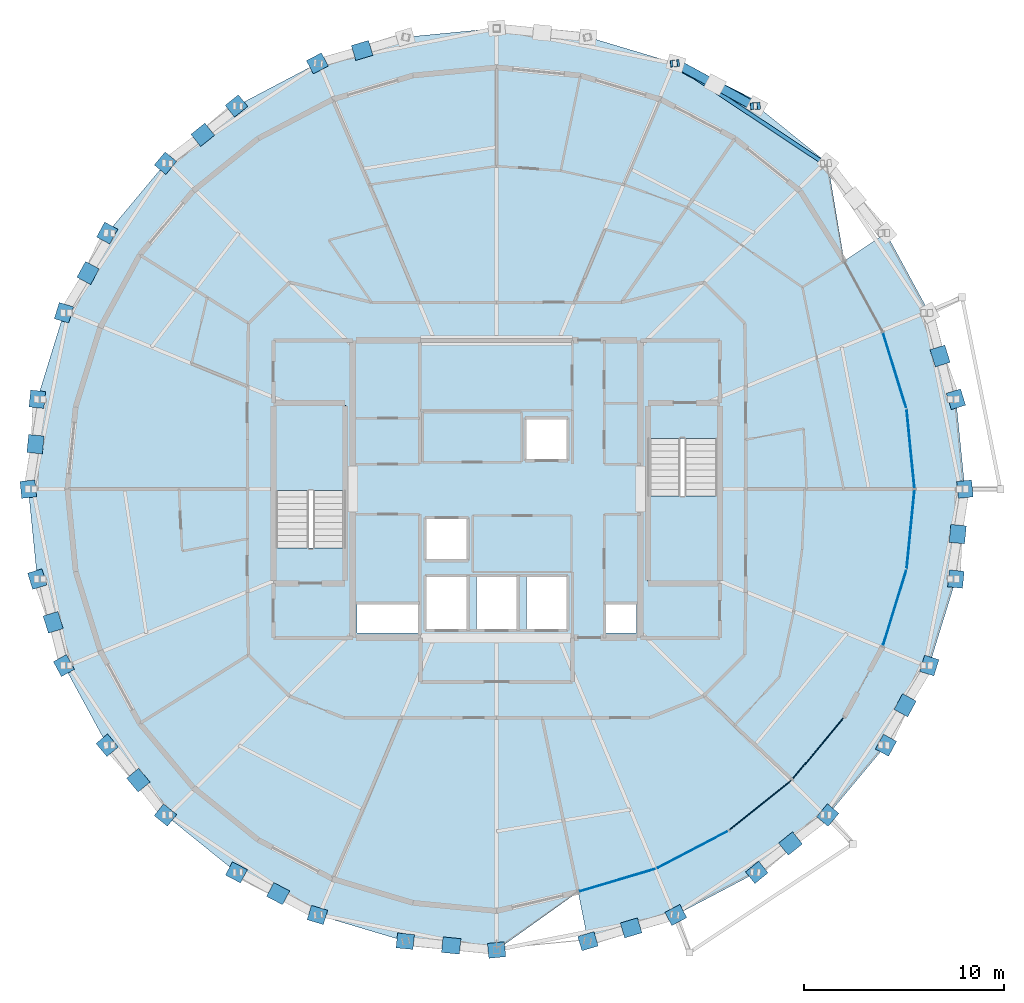
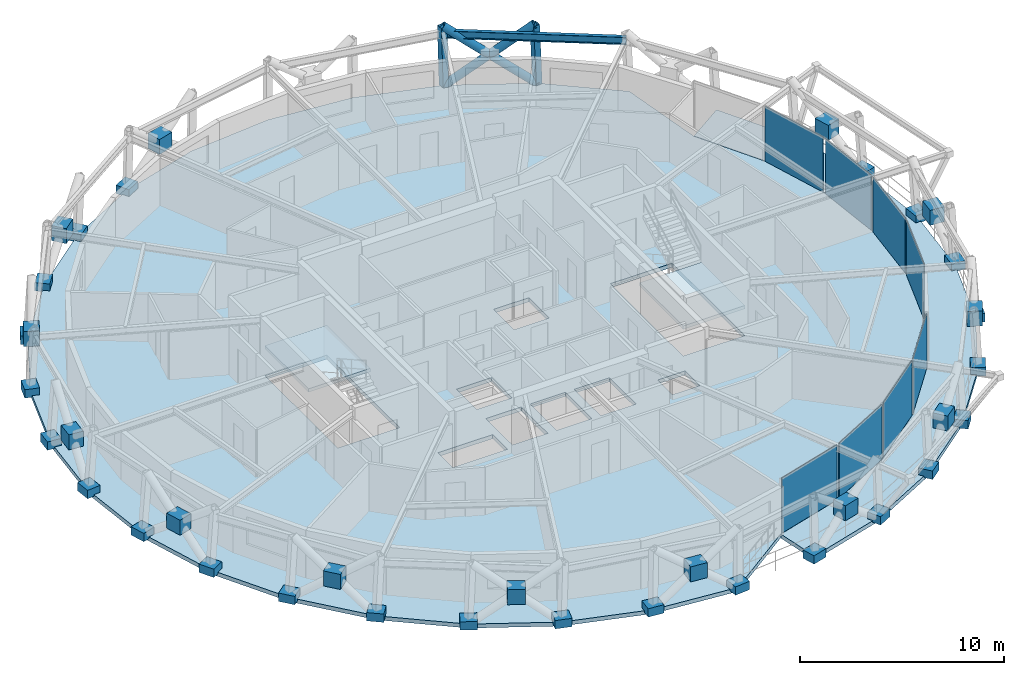
# One storey, part 12 of 18: 45 plates, 5 members, 4 slabs, 1 beam, 4 elements without a shape of their own.
"""IFC4 building model written with IfcOpenShell, lengths in metres."""

from ifc_helpers import new_model, si_unit, direction, frame, origin, origin_2d, place, context, subcontext, project, spatial, polyline, rectangle, hollow_rectangle, hollow_circle, i_section, outline, extrude, material, layer, layer_set, material_profile, profile_set, type_object, element, aggregate, save


model = new_model("IFC4")

# Units and contexts
model_context = context("Model", 3, precision=1e-05, world=origin(), true_north=direction((0.0, 1.0)))
body_context = subcontext(model_context, "Body", "Model", "MODEL_VIEW")
ifc_project = project(units=[si_unit("LENGTHUNIT", "METRE"), si_unit("AREAUNIT", "SQUARE_METRE"), si_unit("VOLUMEUNIT", "CUBIC_METRE"), si_unit("PLANEANGLEUNIT", "RADIAN"), si_unit("MASSUNIT", "GRAM", prefix="KILO")], contexts=[model_context])

# Site, building, storey
site_placement = place(None, origin())
site = spatial("IfcSite", under=ifc_project, at=site_placement, CompositionType="ELEMENT")
building_placement = place(site_placement, origin())
building = spatial("IfcBuilding", under=site, at=building_placement, Name="Veldorina Hangang Commons", CompositionType="ELEMENT")
storey_placement = place(building_placement, frame((0.0, 0.0, 243.60009765625)))
storey = spatial("IfcBuildingStorey", under=building, at=storey_placement, Name="L63", CompositionType="ELEMENT", Elevation=243.60009765625)

# Beam
ifc_material_1 = material(Name="Steel SM355-TMC", Category="steel")
ifc_material_profile_1 = material_profile(ifc_material_1, i_section(OverallWidth=0.199951171875, OverallDepth=0.449951171875, WebThickness=0.009033203125, FlangeThickness=0.013916015625, FilletRadius=0.01611328125, at=origin_2d()), Name="H-450x200x9x14")
ifc_profile_set_1 = profile_set([ifc_material_profile_1], Name="Steel SM355-TMC")
beam_type = type_object("IfcBeamType", Name="BM-RB450", PredefinedType="BEAM", material=ifc_profile_set_1)
beam_placement = place(storey_placement, frame((48.41552734375, 40.313720703125, 3.135009765625), z_axis=(-0.83305846509, 0.55318495437, 0.0), x_axis=(-0.55318495437, -0.83305846509, 0.0)))
element("IfcBeam", 1, at=beam_placement, inside=storey, type_object=beam_type, Name="L63 perimeter hoop ring beam 04", PredefinedType="BEAM", context=body_context, shape_type="SweptSolid", body=[
    extrude(i_section(OverallWidth=0.199951171875, OverallDepth=0.449951171875, WebThickness=0.009033203125, FlangeThickness=0.013916015625, FilletRadius=0.01611328125, at=origin_2d()), origin(), (0.0, 0.0, 1.0), 9.040771484375),
])

# Members
ifc_material_profile_2 = material_profile(ifc_material_1, hollow_circle(Radius=0.22509765625, WallThickness=0.02197265625, at=origin_2d()), Name="CHS-450x22")
ifc_profile_set_2 = profile_set([ifc_material_profile_2], Name="Steel SM355-TMC")
member_type_1 = type_object("IfcMemberType", Name="DG-CHS450", PredefinedType="BRACE", material=ifc_profile_set_2)
member_1_placement = place(storey_placement, frame((45.02978515625, 43.19189453125, 0.0), z_axis=(-0.705453883304, 0.359890801819, 0.610584498081), x_axis=(-0.454435626625, -0.890779580622, 0.0)))
element("IfcMember", 2, at=member_1_placement, inside=storey, type_object=member_type_1, Name="L63 continuous perimeter diagrid brace 05", PredefinedType="BRACE", context=body_context, shape_type="SweptSolid", body=[
    extrude(hollow_circle(Radius=0.22509765625, WallThickness=0.02197265625, at=origin_2d()), origin(), (0.0, 0.0, 1.0), 5.895751953125),
])
member_2_placement = place(storey_placement, frame((40.97509765625, 45.32470703125, 0.0), z_axis=(0.683435000036, -0.371046377488, 0.628682102878), x_axis=(0.477130405056, 0.878832507689, 0.0)))
element("IfcMember", 3, at=member_2_placement, inside=storey, type_object=member_type_1, Name="L63 split perimeter diagrid lower brace 06", PredefinedType="BRACE", context=body_context, shape_type="SweptSolid", body=[
    extrude(hollow_circle(Radius=0.22509765625, WallThickness=0.02197265625, at=origin_2d()), origin(), (0.0, 0.0, 1.0), 2.8759765625),
])
member_3_placement = place(storey_placement, frame((42.940673828125, 44.257568359375, 1.80810546875), z_axis=(0.679826093689, -0.377481256306, 0.628764171592), x_axis=(0.485446468572, 0.874266393127, 0.0)))
element("IfcMember", 4, at=member_3_placement, inside=storey, type_object=member_type_1, Name="L63 split perimeter diagrid upper brace 06", PredefinedType="BRACE", context=body_context, shape_type="SweptSolid", body=[
    extrude(hollow_circle(Radius=0.22509765625, WallThickness=0.02197265625, at=origin_2d()), origin(), (0.0, 0.0, 1.0), 2.849609375),
])
ifc_material_profile_3 = material_profile(ifc_material_1, hollow_rectangle(XDim=0.35009765625, YDim=0.35009765625, WallThickness=0.01611328125, at=origin_2d()), Name="SHS-350x350x16")
ifc_profile_set_3 = profile_set([ifc_material_profile_3], Name="Steel SM355-TMC")
member_type_2 = type_object("IfcMemberType", Name="STR-SHS350", PredefinedType="STRUT", material=ifc_profile_set_3)
member_4_placement = place(storey_placement, frame((45.02978515625, 43.19189453125, 0.0), z_axis=(-0.042146146048, -0.002778122167, 0.999107594011), x_axis=(0.065773661248, -0.997834568196, 0.0)))
element("IfcMember", 5, at=member_4_placement, inside=storey, type_object=member_type_2, Name="L63 perimeter ring node post 05", PredefinedType="STRUT", context=body_context, shape_type="SweptSolid", body=[
    extrude(hollow_rectangle(XDim=0.35009765625, YDim=0.35009765625, WallThickness=0.01611328125, at=origin_2d()), origin(), (0.0, 0.0, 1.0), 3.60302734375),
])
member_5_placement = place(storey_placement, frame((40.97509765625, 45.32470703125, 0.0), z_axis=(-0.029014433133, -0.003050582923, 0.999574337713), x_axis=(0.10456382711, -0.994518177843, 0.0)))
element("IfcMember", 6, at=member_5_placement, inside=storey, type_object=member_type_2, Name="L63 perimeter ring node post 06", PredefinedType="STRUT", context=body_context, shape_type="SweptSolid", body=[
    extrude(hollow_rectangle(XDim=0.35009765625, YDim=0.35009765625, WallThickness=0.01611328125, at=origin_2d()), origin(), (0.0, 0.0, 1.0), 3.601318359375),
])

# Curtain wall, plates
ifc_material_2 = material(Name="Glass Low-E Selective", Category="glass")
ifc_layer_1 = layer(ifc_material_2, 0.179931640625)
ifc_layer_set_1 = layer_set([ifc_layer_1], Name="Glass Low-E Selective")
curtain_wall_type = type_object("IfcCurtainWallType", Name="CW-SYS-Z3", PredefinedType="NOTDEFINED", material=ifc_layer_set_1)
curtain_wall_1_placement = place(storey_placement, origin())
curtain_wall_1 = element("IfcCurtainWall", 7, at=curtain_wall_1_placement, inside=storey, type_object=curtain_wall_type, Name="L63 unitised curtain wall CW-L63-R1", PredefinedType="NOTDEFINED")
ifc_material_3 = material(Name="Glass Low-E Triple IGU", Category="glass")
ifc_layer_2 = layer(ifc_material_3, 0.0400390625)
ifc_layer_set_2 = layer_set([ifc_layer_2], Name="Glass Low-E Triple IGU")
plate_type_1 = type_object("IfcPlateType", Name="CW-PNL-VIS", PredefinedType="CURTAIN_PANEL", material=ifc_layer_set_2)
plate_1_placement = place(storey_placement, frame((38.04736328125, 4.41845703125, 0.014892578125), z_axis=(0.0, 0.0, 1.0), x_axis=(0.958362454745, 0.285554557547, 0.0)))
plate_1 = element("IfcPlate", 8, at=plate_1_placement, type_object=plate_type_1, Name="CW-L63-R1 facet 1 glazed vision panel", PredefinedType="CURTAIN_PANEL", context=body_context, shape_type="SweptSolid", body=[
    extrude(rectangle(XDim=3.91748046875, YDim=0.0400390625, at=origin_2d()), origin(), (0.0, 0.0, 1.0), 3.2900390625),
])
plate_2_placement = place(storey_placement, frame((41.8203125, 5.95361328125, 0.014892578125), z_axis=(0.0, 0.0, 1.0), x_axis=(0.885393625754, 0.464842045725, 0.0)))
plate_2 = element("IfcPlate", 9, at=plate_2_placement, type_object=plate_type_1, Name="CW-L63-R1 facet 2 glazed vision panel", PredefinedType="CURTAIN_PANEL", context=body_context, shape_type="SweptSolid", body=[
    extrude(rectangle(XDim=3.90771484375, YDim=0.0400390625, at=origin_2d()), origin(), (0.0, 0.0, 1.0), 3.2900390625),
])
plate_3_placement = place(storey_placement, frame((45.2158203125, 8.18212890625, 0.014892578125), z_axis=(0.0, 0.0, 1.0), x_axis=(0.778538982724, 0.627596249495, 0.0)))
plate_3 = element("IfcPlate", 10, at=plate_3_placement, type_object=plate_type_1, Name="CW-L63-R1 facet 3 glazed vision panel", PredefinedType="CURTAIN_PANEL", context=body_context, shape_type="SweptSolid", body=[
    extrude(rectangle(XDim=3.894287109375, YDim=0.0400390625, at=origin_2d()), origin(), (0.0, 0.0, 1.0), 3.2900390625),
])
plate_4_placement = place(storey_placement, frame((48.103759765625, 11.0185546875, 0.014892578125), z_axis=(0.0, 0.0, 1.0), x_axis=(0.641155014019, 0.767411394233, 0.0)))
plate_4 = element("IfcPlate", 11, at=plate_4_placement, type_object=plate_type_1, Name="CW-L63-R1 facet 4 glazed vision panel", PredefinedType="CURTAIN_PANEL", context=body_context, shape_type="SweptSolid", body=[
    extrude(rectangle(XDim=3.88037109375, YDim=0.0400390625, at=origin_2d()), origin(), (0.0, 0.0, 1.0), 3.2900390625),
])
aggregate(curtain_wall_1, [plate_1, plate_2, plate_3, plate_4])

curtain_wall_2_placement = place(storey_placement, origin())
curtain_wall_2 = element("IfcCurtainWall", 12, at=curtain_wall_2_placement, inside=storey, type_object=curtain_wall_type, Name="L63 unitised curtain wall CW-L63-R2", PredefinedType="NOTDEFINED")
plate_5_placement = place(storey_placement, frame((51.935302734375, 18.06005859375, 0.014892578125), z_axis=(0.0, 0.0, 1.0), x_axis=(0.295074420452, 0.955474273016, 0.0)))
plate_5 = element("IfcPlate", 13, at=plate_5_placement, type_object=plate_type_1, Name="CW-L63-R2 facet 1 glazed vision panel", PredefinedType="CURTAIN_PANEL", context=body_context, shape_type="SweptSolid", body=[
    extrude(rectangle(XDim=3.85693359375, YDim=0.0400390625, at=origin_2d()), origin(), (0.0, 0.0, 1.0), 3.2900390625),
])
plate_6_placement = place(storey_placement, frame((52.732177734375, 21.994384765625, 0.014892578125), z_axis=(0.0, 0.0, 1.0), x_axis=(0.099771281396, 0.995010397638, 0.0)))
plate_6 = element("IfcPlate", 14, at=plate_6_placement, type_object=plate_type_1, Name="CW-L63-R2 facet 2 glazed vision panel", PredefinedType="CURTAIN_PANEL", context=body_context, shape_type="SweptSolid", body=[
    extrude(rectangle(XDim=3.8515625, YDim=0.0400390625, at=origin_2d()), origin(), (0.0, 0.0, 1.0), 3.2900390625),
])
plate_7_placement = place(storey_placement, frame((52.732177734375, 26.005615234375, 0.014892578125), z_axis=(0.0, 0.0, 1.0), x_axis=(-0.099771281396, 0.995010397638, 0.0)))
plate_7 = element("IfcPlate", 15, at=plate_7_placement, type_object=plate_type_1, Name="CW-L63-R2 facet 3 glazed vision panel", PredefinedType="CURTAIN_PANEL", context=body_context, shape_type="SweptSolid", body=[
    extrude(rectangle(XDim=3.8515625, YDim=0.0400390625, at=origin_2d()), origin(), (0.0, 0.0, 1.0), 3.2900390625),
])
plate_8_placement = place(storey_placement, frame((51.935302734375, 29.93994140625, 0.014892578125), z_axis=(0.0, 0.0, 1.0), x_axis=(-0.295074420452, 0.955474273016, 0.0)))
plate_8 = element("IfcPlate", 16, at=plate_8_placement, type_object=plate_type_1, Name="CW-L63-R2 facet 4 glazed vision panel", PredefinedType="CURTAIN_PANEL", context=body_context, shape_type="SweptSolid", body=[
    extrude(rectangle(XDim=3.85693359375, YDim=0.0400390625, at=origin_2d()), origin(), (0.0, 0.0, 1.0), 3.2900390625),
])
aggregate(curtain_wall_2, [plate_5, plate_6, plate_7, plate_8])

# Plates
ifc_material_4 = material(Name="Steel SM460-TMC", Category="steel")
ifc_layer_3 = layer(ifc_material_4, 0.035888671875)
ifc_layer_set_3 = layer_set([ifc_layer_3], Name="Steel SM460-TMC")
plate_type_2 = type_object("IfcPlateType", Name="PL-STAR-36", PredefinedType="USERDEFINED", material=ifc_layer_set_3)
for number, where, z_axis, x_axis, name in (
    (17, (55.453125, 24.0, -0.090087890625), (0.0, 0.0, 1.0), (-0.099562884719, 0.995031271864, 0.0), "L63 diagrid star-node gusset plate 00"),
    (18, (55.002685546875, 28.5029296875, -0.090087890625), (0.0, 0.0, 1.0), (-0.294574094867, 0.95562864264, 0.0), "L63 diagrid star-node gusset plate 01"),
):
    element("IfcPlate", number, at=place(storey_placement, frame(where, z_axis=z_axis, x_axis=x_axis)), inside=storey, type_object=plate_type_2, Name=name, ObjectType="GUSSET PLATE", PredefinedType="USERDEFINED", context=body_context, shape_type="SweptSolid", body=[
        extrude(rectangle(XDim=0.85009765625, YDim=0.75, at=origin_2d()), origin(), (0.0, 0.0, 1.0), 0.5),
    ])
for number, where, z_axis, x_axis, name in (
    (19, (54.20849609375, 30.667236328125, 1.351318359375), (0.0, 0.0, 1.0), (-0.294574094867, 0.95562864264, 0.0), "L63 diagrid X-crossing star-node gusset plate 01"),
    (20, (25.265380859375, 45.972412109375, 1.359619140625), (0.0, 0.0, 1.0), (-0.958207814594, -0.286073039713, 0.0), "L63 diagrid X-crossing star-node gusset plate 09"),
):
    element("IfcPlate", number, at=place(storey_placement, frame(where, z_axis=z_axis, x_axis=x_axis)), inside=storey, type_object=plate_type_2, Name=name, ObjectType="GUSSET PLATE", PredefinedType="USERDEFINED", context=body_context, shape_type="SweptSolid", body=[
        extrude(rectangle(XDim=0.89990234375, YDim=0.780029296875, at=origin_2d()), origin(), (0.0, 0.0, 1.0), 0.89990234375),
    ])
for number, where, z_axis, x_axis, name in (
    (21, (23.02490234375, 45.32470703125, -0.090087890625), (0.0, 0.0, 1.0), (-0.885012015769, -0.465568181843, 0.0), "L63 diagrid star-node gusset plate 10"),
    (22, (18.97021484375, 43.19189453125, -0.090087890625), (0.0, 0.0, 1.0), (-0.777947141507, -0.628329726355, 0.0), "L63 diagrid star-node gusset plate 11"),
):
    element("IfcPlate", number, at=place(storey_placement, frame(where, z_axis=z_axis, x_axis=x_axis)), inside=storey, type_object=plate_type_2, Name=name, ObjectType="GUSSET PLATE", PredefinedType="USERDEFINED", context=body_context, shape_type="SweptSolid", body=[
        extrude(rectangle(XDim=0.85009765625, YDim=0.75, at=origin_2d()), origin(), (0.0, 0.0, 1.0), 0.5),
    ])
plate_9_placement = place(storey_placement, frame((17.28369140625, 41.7470703125, 1.3564453125), z_axis=(0.0, 0.0, 1.0), x_axis=(-0.777947141507, -0.628329726355, 0.0)))
element("IfcPlate", 23, at=plate_9_placement, inside=storey, type_object=plate_type_2, Name="L63 diagrid X-crossing star-node gusset plate 11", ObjectType="GUSSET PLATE", PredefinedType="USERDEFINED", context=body_context, shape_type="SweptSolid", body=[
    extrude(rectangle(XDim=0.89990234375, YDim=0.780029296875, at=origin_2d()), origin(), (0.0, 0.0, 1.0), 0.89990234375),
])
for number, where, z_axis, x_axis, name in (
    (24, (15.416015625, 40.3212890625, -0.090087890625), (0.0, 0.0, 1.0), (-0.640431461169, -0.768015327676, 0.0), "L63 diagrid star-node gusset plate 12"),
    (25, (12.49951171875, 36.823486328125, -0.090087890625), (0.0, 0.0, 1.0), (-0.477250787156, -0.878767139895, 0.0), "L63 diagrid star-node gusset plate 13"),
):
    element("IfcPlate", number, at=place(storey_placement, frame(where, z_axis=z_axis, x_axis=x_axis)), inside=storey, type_object=plate_type_2, Name=name, ObjectType="GUSSET PLATE", PredefinedType="USERDEFINED", context=body_context, shape_type="SweptSolid", body=[
        extrude(rectangle(XDim=0.85009765625, YDim=0.75, at=origin_2d()), origin(), (0.0, 0.0, 1.0), 0.5),
    ])
plate_10_placement = place(storey_placement, frame((11.54052734375, 34.822998046875, 1.352783203125), z_axis=(0.0, 0.0, 1.0), x_axis=(-0.477250787156, -0.878767139895, 0.0)))
element("IfcPlate", 26, at=plate_10_placement, inside=storey, type_object=plate_type_2, Name="L63 diagrid X-crossing star-node gusset plate 13", ObjectType="GUSSET PLATE", PredefinedType="USERDEFINED", context=body_context, shape_type="SweptSolid", body=[
    extrude(rectangle(XDim=0.89990234375, YDim=0.780029296875, at=origin_2d()), origin(), (0.0, 0.0, 1.0), 0.89990234375),
])
for number, where, z_axis, x_axis, name in (
    (27, (10.33203125, 32.8330078125, -0.090087890625), (0.0, 0.0, 1.0), (-0.294574094867, -0.95562864264, 0.0), "L63 diagrid star-node gusset plate 14"),
    (28, (8.997314453125, 28.5029296875, -0.090087890625), (0.0, 0.0, 1.0), (-0.099562884719, -0.995031271864, 0.0), "L63 diagrid star-node gusset plate 15"),
):
    element("IfcPlate", number, at=place(storey_placement, frame(where, z_axis=z_axis, x_axis=x_axis)), inside=storey, type_object=plate_type_2, Name=name, ObjectType="GUSSET PLATE", PredefinedType="USERDEFINED", context=body_context, shape_type="SweptSolid", body=[
        extrude(rectangle(XDim=0.85009765625, YDim=0.75, at=origin_2d()), origin(), (0.0, 0.0, 1.0), 0.5),
    ])
plate_11_placement = place(storey_placement, frame((8.90869140625, 26.250732421875, 1.3505859375), z_axis=(0.0, 0.0, 1.0), x_axis=(-0.099562884719, -0.995031271864, 0.0)))
element("IfcPlate", 29, at=plate_11_placement, inside=storey, type_object=plate_type_2, Name="L63 diagrid X-crossing star-node gusset plate 15", ObjectType="GUSSET PLATE", PredefinedType="USERDEFINED", context=body_context, shape_type="SweptSolid", body=[
    extrude(rectangle(XDim=0.89990234375, YDim=0.780029296875, at=origin_2d()), origin(), (0.0, 0.0, 1.0), 0.89990234375),
])
for number, where, z_axis, x_axis, name in (
    (30, (8.546875, 24.0, -0.090087890625), (0.0, 0.0, 1.0), (0.099562884719, -0.995031271864, 0.0), "L63 diagrid star-node gusset plate 16"),
    (31, (8.997314453125, 19.4970703125, -0.090087890625), (0.0, 0.0, 1.0), (0.294574094867, -0.95562864264, 0.0), "L63 diagrid star-node gusset plate 17"),
):
    element("IfcPlate", number, at=place(storey_placement, frame(where, z_axis=z_axis, x_axis=x_axis)), inside=storey, type_object=plate_type_2, Name=name, ObjectType="GUSSET PLATE", PredefinedType="USERDEFINED", context=body_context, shape_type="SweptSolid", body=[
        extrude(rectangle(XDim=0.85009765625, YDim=0.75, at=origin_2d()), origin(), (0.0, 0.0, 1.0), 0.5),
    ])
plate_12_placement = place(storey_placement, frame((9.79150390625, 17.332763671875, 1.351318359375), z_axis=(0.0, 0.0, 1.0), x_axis=(0.294574094867, -0.95562864264, 0.0)))
element("IfcPlate", 32, at=plate_12_placement, inside=storey, type_object=plate_type_2, Name="L63 diagrid X-crossing star-node gusset plate 17", ObjectType="GUSSET PLATE", PredefinedType="USERDEFINED", context=body_context, shape_type="SweptSolid", body=[
    extrude(rectangle(XDim=0.89990234375, YDim=0.780029296875, at=origin_2d()), origin(), (0.0, 0.0, 1.0), 0.89990234375),
])
for number, where, z_axis, x_axis, name in (
    (33, (10.33203125, 15.1669921875, -0.090087890625), (0.0, 0.0, 1.0), (0.477250787156, -0.878767139895, 0.0), "L63 diagrid star-node gusset plate 18"),
    (34, (12.49951171875, 11.176513671875, -0.090087890625), (0.0, 0.0, 1.0), (0.640431461169, -0.768015327676, 0.0), "L63 diagrid star-node gusset plate 19"),
):
    element("IfcPlate", number, at=place(storey_placement, frame(where, z_axis=z_axis, x_axis=x_axis)), inside=storey, type_object=plate_type_2, Name=name, ObjectType="GUSSET PLATE", PredefinedType="USERDEFINED", context=body_context, shape_type="SweptSolid", body=[
        extrude(rectangle(XDim=0.85009765625, YDim=0.75, at=origin_2d()), origin(), (0.0, 0.0, 1.0), 0.5),
    ])
plate_13_placement = place(storey_placement, frame((14.058349609375, 9.427490234375, 1.3544921875), z_axis=(0.0, 0.0, 1.0), x_axis=(0.640431461169, -0.768015327676, 0.0)))
element("IfcPlate", 35, at=plate_13_placement, inside=storey, type_object=plate_type_2, Name="L63 diagrid X-crossing star-node gusset plate 19", ObjectType="GUSSET PLATE", PredefinedType="USERDEFINED", context=body_context, shape_type="SweptSolid", body=[
    extrude(rectangle(XDim=0.89990234375, YDim=0.780029296875, at=origin_2d()), origin(), (0.0, 0.0, 1.0), 0.89990234375),
])
for number, where, z_axis, x_axis, name in (
    (36, (15.416015625, 7.6787109375, -0.090087890625), (0.0, 0.0, 1.0), (0.777947141507, -0.628329726355, 0.0), "L63 diagrid star-node gusset plate 20"),
    (37, (18.97021484375, 4.80810546875, -0.090087890625), (0.0, 0.0, 1.0), (0.885012015769, -0.465568181843, 0.0), "L63 diagrid star-node gusset plate 21"),
):
    element("IfcPlate", number, at=place(storey_placement, frame(where, z_axis=z_axis, x_axis=x_axis)), inside=storey, type_object=plate_type_2, Name=name, ObjectType="GUSSET PLATE", PredefinedType="USERDEFINED", context=body_context, shape_type="SweptSolid", body=[
        extrude(rectangle(XDim=0.85009765625, YDim=0.75, at=origin_2d()), origin(), (0.0, 0.0, 1.0), 0.5),
    ])
plate_14_placement = place(storey_placement, frame((21.059326171875, 3.742431640625, 1.358154296875), z_axis=(0.0, 0.0, 1.0), x_axis=(0.885012015769, -0.465568181843, 0.0)))
element("IfcPlate", 38, at=plate_14_placement, inside=storey, type_object=plate_type_2, Name="L63 diagrid X-crossing star-node gusset plate 21", ObjectType="GUSSET PLATE", PredefinedType="USERDEFINED", context=body_context, shape_type="SweptSolid", body=[
    extrude(rectangle(XDim=0.89990234375, YDim=0.780029296875, at=origin_2d()), origin(), (0.0, 0.0, 1.0), 0.89990234375),
])
for number, where, z_axis, x_axis, name in (
    (39, (23.02490234375, 2.67529296875, -0.090087890625), (0.0, 0.0, 1.0), (0.958207814594, -0.286073039713, 0.0), "L63 diagrid star-node gusset plate 22"),
    (40, (27.424560546875, 1.36181640625, -0.090087890625), (0.0, 0.0, 1.0), (0.995335780225, -0.096471159437, 0.0), "L63 diagrid star-node gusset plate 23"),
):
    element("IfcPlate", number, at=place(storey_placement, frame(where, z_axis=z_axis, x_axis=x_axis)), inside=storey, type_object=plate_type_2, Name=name, ObjectType="GUSSET PLATE", PredefinedType="USERDEFINED", context=body_context, shape_type="SweptSolid", body=[
        extrude(rectangle(XDim=0.85009765625, YDim=0.75, at=origin_2d()), origin(), (0.0, 0.0, 1.0), 0.5),
    ])
plate_15_placement = place(storey_placement, frame((29.7255859375, 1.144775390625, 1.3603515625), z_axis=(0.0, 0.0, 1.0), x_axis=(0.995335780225, -0.096471159437, 0.0)))
element("IfcPlate", 41, at=plate_15_placement, inside=storey, type_object=plate_type_2, Name="L63 diagrid X-crossing star-node gusset plate 23", ObjectType="GUSSET PLATE", PredefinedType="USERDEFINED", context=body_context, shape_type="SweptSolid", body=[
    extrude(rectangle(XDim=0.89990234375, YDim=0.780029296875, at=origin_2d()), origin(), (0.0, 0.0, 1.0), 0.89990234375),
])
for number, where, z_axis, x_axis, name in (
    (42, (32.0, 0.918212890625, -0.090087890625), (0.0, 0.0, 1.0), (0.995335780225, 0.096471159437, 0.0), "L63 diagrid star-node gusset plate 24"),
    (43, (36.575439453125, 1.36181640625, -0.090087890625), (0.0, 0.0, 1.0), (0.958207814594, 0.286073039713, 0.0), "L63 diagrid star-node gusset plate 25"),
):
    element("IfcPlate", number, at=place(storey_placement, frame(where, z_axis=z_axis, x_axis=x_axis)), inside=storey, type_object=plate_type_2, Name=name, ObjectType="GUSSET PLATE", PredefinedType="USERDEFINED", context=body_context, shape_type="SweptSolid", body=[
        extrude(rectangle(XDim=0.85009765625, YDim=0.75, at=origin_2d()), origin(), (0.0, 0.0, 1.0), 0.5),
    ])
plate_16_placement = place(storey_placement, frame((38.734619140625, 2.027587890625, 1.359619140625), z_axis=(0.0, 0.0, 1.0), x_axis=(0.958207814594, 0.286073039713, 0.0)))
element("IfcPlate", 44, at=plate_16_placement, inside=storey, type_object=plate_type_2, Name="L63 diagrid X-crossing star-node gusset plate 25", ObjectType="GUSSET PLATE", PredefinedType="USERDEFINED", context=body_context, shape_type="SweptSolid", body=[
    extrude(rectangle(XDim=0.89990234375, YDim=0.780029296875, at=origin_2d()), origin(), (0.0, 0.0, 1.0), 0.89990234375),
])
for number, where, z_axis, x_axis, name in (
    (45, (40.97509765625, 2.67529296875, -0.090087890625), (0.0, 0.0, 1.0), (0.885012015769, 0.465568181843, 0.0), "L63 diagrid star-node gusset plate 26"),
    (46, (45.02978515625, 4.80810546875, -0.090087890625), (0.0, 0.0, 1.0), (0.777947141507, 0.628329726355, 0.0), "L63 diagrid star-node gusset plate 27"),
):
    element("IfcPlate", number, at=place(storey_placement, frame(where, z_axis=z_axis, x_axis=x_axis)), inside=storey, type_object=plate_type_2, Name=name, ObjectType="GUSSET PLATE", PredefinedType="USERDEFINED", context=body_context, shape_type="SweptSolid", body=[
        extrude(rectangle(XDim=0.85009765625, YDim=0.75, at=origin_2d()), origin(), (0.0, 0.0, 1.0), 0.5),
    ])
plate_17_placement = place(storey_placement, frame((46.71630859375, 6.2529296875, 1.3564453125), z_axis=(0.0, 0.0, 1.0), x_axis=(0.777947141507, 0.628329726355, 0.0)))
element("IfcPlate", 47, at=plate_17_placement, inside=storey, type_object=plate_type_2, Name="L63 diagrid X-crossing star-node gusset plate 27", ObjectType="GUSSET PLATE", PredefinedType="USERDEFINED", context=body_context, shape_type="SweptSolid", body=[
    extrude(rectangle(XDim=0.89990234375, YDim=0.780029296875, at=origin_2d()), origin(), (0.0, 0.0, 1.0), 0.89990234375),
])
for number, where, z_axis, x_axis, name in (
    (48, (48.583984375, 7.6787109375, -0.090087890625), (0.0, 0.0, 1.0), (0.640431461169, 0.768015327676, 0.0), "L63 diagrid star-node gusset plate 28"),
    (49, (51.50048828125, 11.176513671875, -0.090087890625), (0.0, 0.0, 1.0), (0.477250787156, 0.878767139895, 0.0), "L63 diagrid star-node gusset plate 29"),
):
    element("IfcPlate", number, at=place(storey_placement, frame(where, z_axis=z_axis, x_axis=x_axis)), inside=storey, type_object=plate_type_2, Name=name, ObjectType="GUSSET PLATE", PredefinedType="USERDEFINED", context=body_context, shape_type="SweptSolid", body=[
        extrude(rectangle(XDim=0.85009765625, YDim=0.75, at=origin_2d()), origin(), (0.0, 0.0, 1.0), 0.5),
    ])
plate_18_placement = place(storey_placement, frame((52.45947265625, 13.177001953125, 1.352783203125), z_axis=(0.0, 0.0, 1.0), x_axis=(0.477250787156, 0.878767139895, 0.0)))
element("IfcPlate", 50, at=plate_18_placement, inside=storey, type_object=plate_type_2, Name="L63 diagrid X-crossing star-node gusset plate 29", ObjectType="GUSSET PLATE", PredefinedType="USERDEFINED", context=body_context, shape_type="SweptSolid", body=[
    extrude(rectangle(XDim=0.89990234375, YDim=0.780029296875, at=origin_2d()), origin(), (0.0, 0.0, 1.0), 0.89990234375),
])
for number, where, z_axis, x_axis, name in (
    (51, (53.66796875, 15.1669921875, -0.090087890625), (0.0, 0.0, 1.0), (0.294574094867, 0.95562864264, 0.0), "L63 diagrid star-node gusset plate 30"),
    (52, (55.002685546875, 19.4970703125, -0.090087890625), (0.0, 0.0, 1.0), (0.099562884719, 0.995031271864, 0.0), "L63 diagrid star-node gusset plate 31"),
):
    element("IfcPlate", number, at=place(storey_placement, frame(where, z_axis=z_axis, x_axis=x_axis)), inside=storey, type_object=plate_type_2, Name=name, ObjectType="GUSSET PLATE", PredefinedType="USERDEFINED", context=body_context, shape_type="SweptSolid", body=[
        extrude(rectangle(XDim=0.85009765625, YDim=0.75, at=origin_2d()), origin(), (0.0, 0.0, 1.0), 0.5),
    ])
plate_19_placement = place(storey_placement, frame((55.09130859375, 21.749267578125, 1.3505859375), z_axis=(0.0, 0.0, 1.0), x_axis=(0.099562884719, 0.995031271864, 0.0)))
element("IfcPlate", 53, at=plate_19_placement, inside=storey, type_object=plate_type_2, Name="L63 diagrid X-crossing star-node gusset plate 31", ObjectType="GUSSET PLATE", PredefinedType="USERDEFINED", context=body_context, shape_type="SweptSolid", body=[
    extrude(rectangle(XDim=0.89990234375, YDim=0.780029296875, at=origin_2d()), origin(), (0.0, 0.0, 1.0), 0.89990234375),
])

# Slabs
ifc_material_5 = material(Name="Concrete C40/50", Category="concrete")
ifc_layer_4 = layer(ifc_material_5, 0.239990234375)
ifc_layer_set_4 = layer_set([ifc_layer_4], Name="Concrete C40/50")
slab_type_1 = type_object("IfcSlabType", Name="SL-FLR-240", PredefinedType="FLOOR", material=ifc_layer_set_4)
slab_1_placement = place(storey_placement, frame((0.0, 0.0, -0.239990234375)))
element("IfcSlab", 54, at=slab_1_placement, inside=storey, type_object=slab_type_1, Name="L63 tower structural floor slab", PredefinedType="FLOOR", context=body_context, shape_type="SweptSolid", body=[
    extrude(outline(polyline([(52.93310546875, 24.0), (52.531005859375, 28.011474609375), (51.33984375, 31.86865234375), (49.4052734375, 35.423583984375), (48.583984375, 40.3212890625), (45.02978515625, 43.19189453125), (40.97509765625, 45.32470703125), (36.575439453125, 46.63818359375), (32.0, 47.081787109375), (27.424560546875, 46.63818359375), (23.02490234375, 45.32470703125), (18.97021484375, 43.19189453125), (15.416015625, 40.3212890625), (12.49951171875, 36.823486328125), (10.33203125, 32.8330078125), (8.997314453125, 28.5029296875), (8.546875, 24.0), (8.997314453125, 19.4970703125), (10.33203125, 15.1669921875), (12.49951171875, 11.176513671875), (15.416015625, 7.6787109375), (18.97021484375, 4.80810546875), (23.02490234375, 2.67529296875), (27.424560546875, 1.36181640625), (32.0, 0.918212890625), (36.083984375, 3.833251953125), (40.0107421875, 5.00341796875), (43.6298828125, 6.903564453125), (46.802001953125, 9.460693359375), (49.4052734375, 12.576416015625), (51.33984375, 16.13134765625), (52.531005859375, 19.988525390625), (52.93310546875, 24.0)]), holes=[polyline([(20.949951171875, 21.05810546875), (20.949951171875, 28.199951171875), (24.449951171875, 28.199951171875), (24.449951171875, 21.05810546875), (20.949951171875, 21.05810546875)]), polyline([(43.050048828125, 26.5419921875), (43.050048828125, 19.39990234375), (39.550048828125, 19.39990234375), (39.550048828125, 26.5419921875), (43.050048828125, 26.5419921875)]), polyline([(33.5, 27.5), (35.5, 27.5), (35.5, 25.5), (33.5, 25.5), (33.5, 27.5)]), polyline([(28.5, 22.5), (30.5, 22.5), (30.5, 20.5), (28.5, 20.5), (28.5, 22.5)]), polyline([(28.5, 19.60009765625), (30.5, 19.60009765625), (30.5, 17.0), (28.5, 17.0), (28.5, 19.60009765625)]), polyline([(31.0, 19.60009765625), (33.0, 19.60009765625), (33.0, 17.0), (31.0, 17.0), (31.0, 19.60009765625)]), polyline([(33.5, 19.60009765625), (35.5, 19.60009765625), (35.5, 17.0), (33.5, 17.0), (33.5, 19.60009765625)]), polyline([(25.0, 18.25), (28.10009765625, 18.25), (28.10009765625, 16.800048828125), (25.0, 16.800048828125), (25.0, 18.25)]), polyline([(37.449951171875, 18.25), (39.0, 18.25), (39.0, 16.800048828125), (37.449951171875, 16.800048828125), (37.449951171875, 18.25)])]), origin(), (0.0, 0.0, 1.0), 0.239990234375),
])
slab_2_placement = place(storey_placement, frame((0.0, 0.0, -0.239990234375)))
element("IfcSlab", 55, at=slab_2_placement, inside=storey, type_object=slab_type_1, Name="L63 sky-garden loggia outdoor slab", PredefinedType="FLOOR", context=body_context, shape_type="SweptSolid", body=[
    extrude(outline(polyline([(51.50048828125, 36.823486328125), (53.66796875, 32.8330078125), (55.002685546875, 28.5029296875), (55.453125, 24.0), (55.002685546875, 19.4970703125), (53.66796875, 15.1669921875), (51.50048828125, 11.176513671875), (48.583984375, 7.6787109375), (45.02978515625, 4.80810546875), (40.97509765625, 2.67529296875), (36.575439453125, 1.36181640625), (36.087158203125, 3.817138671875), (36.090576171875, 3.819580078125), (40.01513671875, 4.989013671875), (40.0166015625, 4.989501953125), (40.017822265625, 4.989990234375), (43.636962890625, 6.89013671875), (43.63818359375, 6.89111328125), (43.639404296875, 6.891845703125), (46.811279296875, 9.448974609375), (46.8125, 9.449951171875), (46.8134765625, 9.450927734375), (49.416748046875, 12.56689453125), (49.417724609375, 12.568115234375), (49.41845703125, 12.5693359375), (51.35302734375, 16.1240234375), (51.353515625, 16.12548828125), (51.35400390625, 16.126953125), (52.54541015625, 19.984130859375), (52.545654296875, 19.985595703125), (52.5458984375, 19.987060546875), (52.947998046875, 23.99853515625), (52.9482421875, 24.0), (52.947998046875, 24.00146484375), (52.5458984375, 28.012939453125), (52.545654296875, 28.014404296875), (52.54541015625, 28.015869140625), (51.35400390625, 31.873046875), (51.353515625, 31.87451171875), (51.35302734375, 31.8759765625), (49.419677734375, 35.428466796875), (49.4189453125, 35.4326171875), (51.50048828125, 36.823486328125)])), origin(), (0.0, 0.0, 1.0), 0.239990234375),
])

# Stair, slab
stair_type = type_object("IfcStairType", Name="STR-DOG-1650-20R", PredefinedType="HALF_TURN_STAIR", material=ifc_material_5)
stair_1_placement = place(storey_placement, origin())
stair_1 = element("IfcStair", 56, at=stair_1_placement, inside=storey, type_object=stair_type, Name="L63 Exit stair ST-1", PredefinedType="HALF_TURN_STAIR")
ifc_layer_5 = layer(ifc_material_5, 0.199951171875)
ifc_layer_set_5 = layer_set([ifc_layer_5], Name="Concrete C40/50")
slab_type_2 = type_object("IfcSlabType", Name="SL-LND-200", PredefinedType="LANDING", material=ifc_layer_set_5)
slab_3_placement = place(storey_placement, frame((0.0, 0.0, 1.599853515625)))
slab_3 = element("IfcSlab", 57, at=slab_3_placement, type_object=slab_type_2, Name="ST-1 landing 1", PredefinedType="LANDING", context=body_context, shape_type="SweptSolid", body=[
    extrude(outline(polyline([(24.449951171875, 23.929931640625), (24.449951171875, 28.199951171875), (20.949951171875, 28.199951171875), (20.949951171875, 23.929931640625), (24.449951171875, 23.929931640625)])), origin(), (0.0, 0.0, 1.0), 0.199951171875),
])
aggregate(stair_1, [slab_3])

stair_2_placement = place(storey_placement, origin())
stair_2 = element("IfcStair", 58, at=stair_2_placement, inside=storey, type_object=stair_type, Name="L63 Exit stair ST-2", PredefinedType="HALF_TURN_STAIR")
slab_4_placement = place(storey_placement, frame((0.0, 0.0, 1.599853515625)))
slab_4 = element("IfcSlab", 59, at=slab_4_placement, type_object=slab_type_2, Name="ST-2 landing 1", PredefinedType="LANDING", context=body_context, shape_type="SweptSolid", body=[
    extrude(outline(polyline([(39.550048828125, 23.669921875), (39.550048828125, 19.39990234375), (43.050048828125, 19.39990234375), (43.050048828125, 23.669921875), (39.550048828125, 23.669921875)])), origin(), (0.0, 0.0, 1.0), 0.199951171875),
])
aggregate(stair_2, [slab_4])

save(model, "model.ifc")
